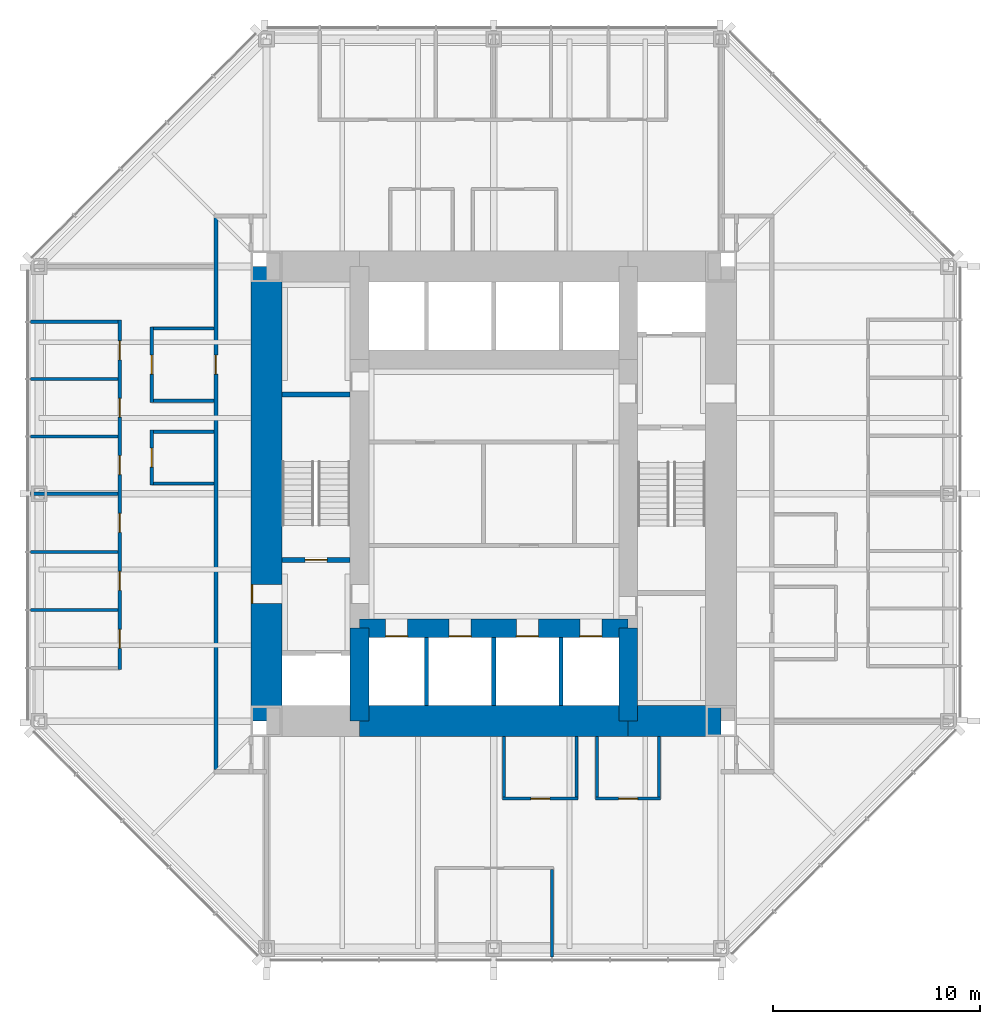
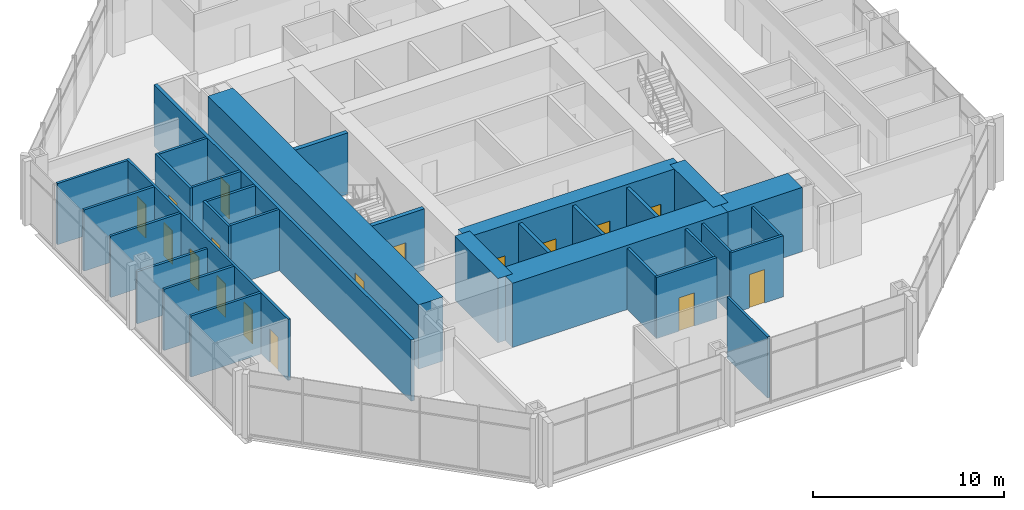
# One storey, part 9 of 14: 32 walls, 17 doors, 17 openings.
"""IFC4 building model written with IfcOpenShell, lengths in metres."""

from ifc_helpers import new_model, si_unit, direction, frame, frame_2d, origin, place, context, subcontext, project, spatial, rectangle, extrude, material, layer, layer_set, type_object, element, fill, save


model = new_model("IFC4")

# Units and contexts
model_context = context("Model", 3, precision=1e-05, world=origin(), true_north=direction((0.0, 1.0)))
body_context = subcontext(model_context, "Body", "Model", "MODEL_VIEW")
ifc_project = project(units=[si_unit("LENGTHUNIT", "METRE"), si_unit("AREAUNIT", "SQUARE_METRE"), si_unit("VOLUMEUNIT", "CUBIC_METRE"), si_unit("PLANEANGLEUNIT", "RADIAN"), si_unit("MASSUNIT", "GRAM", prefix="KILO")], contexts=[model_context])

# Site, building, storey
site_placement = place(None, origin())
site = spatial("IfcSite", under=ifc_project, at=site_placement, CompositionType="ELEMENT")
building_placement = place(site_placement, origin())
building = spatial("IfcBuilding", under=site, at=building_placement, Name="Trevanion Tower", CompositionType="ELEMENT")
storey_placement = place(building_placement, frame((0.0, 0.0, 104.89990234375)))
storey = spatial("IfcBuildingStorey", under=building, at=storey_placement, Name="L24", CompositionType="ELEMENT", Elevation=104.89990234375)

# Wall, opening, door
ifc_material_1 = material(Name="Concrete 10,000 psi", Category="concrete")
ifc_layer_1 = layer(ifc_material_1, 1.5)
ifc_layer_set_1 = layer_set([ifc_layer_1], Name="CW1 core wall 1500")
wall_type_1 = type_object("IfcWallType", Name="CW1 core wall 1500", PredefinedType="SHEAR", material=ifc_layer_set_1)
wall_1_placement = place(storey_placement, frame((-11.0, 11.0, 0.0), z_axis=(0.0, 0.0, 1.0), x_axis=(0.0, -1.0, 0.0)))
wall_1 = element("IfcWall", 1, at=wall_1_placement, inside=storey, type_object=wall_type_1, Name="CW1 CW L24", PredefinedType="SHEAR", context=body_context, shape_type="SweptSolid", body=[
    extrude(rectangle(XDim=22.0, YDim=1.5, at=frame_2d((11.0, 0.0))), origin(), (0.0, 0.0, 1.0), 4.10009765625),
])
opening_1_placement = place(wall_1_placement, frame((15.392578125, 0.0, 0.0)))
opening_1 = element("IfcOpeningElement", 2, at=opening_1_placement, cuts=wall_1, Name="Opening 24-002", PredefinedType="OPENING", context=body_context, shape_type="SweptSolid", body=[
    extrude(rectangle(XDim=0.9150390625, YDim=2.134033203125, at=frame_2d((0.45751953125, 1.06689453125))), frame((0.0, 0.760009765625, 0.0), z_axis=(0.0, -1.0, 0.0), x_axis=(1.0, 0.0, 0.0)), (0.0, 0.0, 1.0), 1.52001953125),
])
ifc_material_2 = material(Name="Hollow metal, fire rated", Category="steel")
door_type_1 = type_object("IfcDoorType", Name="D3 fire lift lobby door", OperationType="SINGLE_SWING_RIGHT", PredefinedType="DOOR", material=ifc_material_2)
door_1_placement = place(opening_1_placement, origin())
door_1 = element("IfcDoor", 3, at=door_1_placement, inside=storey, type_object=door_type_1, Name="Door 24-002", OperationType="SINGLE_SWING_RIGHT", OverallHeight=2.134033203125, OverallWidth=0.9150390625, PredefinedType="DOOR", context=body_context, shape_type="SweptSolid", body=[
    extrude(rectangle(XDim=0.9150390625, YDim=2.134033203125, at=frame_2d((0.45751953125, 1.06689453125))), frame((0.0, -0.6748046875, 0.0), z_axis=(0.0, -1.0, 0.0), x_axis=(1.0, 0.0, 0.0)), (0.0, 0.0, 1.0), 0.050048828125),
])
fill(opening_1, door_1)

# Walls
wall_2_placement = place(storey_placement, frame((-6.5, -11.0, 0.0), z_axis=(0.0, 0.0, 1.0), x_axis=(1.0, 0.0, 0.0)))
element("IfcWall", 4, at=wall_2_placement, inside=storey, type_object=wall_type_1, Name="CW1 CS2 L24", PredefinedType="SHEAR", context=body_context, shape_type="SweptSolid", body=[
    extrude(rectangle(XDim=13.0, YDim=1.5, at=frame_2d((6.5, 0.0))), origin(), (0.0, 0.0, 1.0), 4.10009765625),
])
wall_3_placement = place(storey_placement, frame((6.5, -11.0, 0.0), z_axis=(0.0, 0.0, 1.0), x_axis=(1.0, 0.0, 0.0)))
element("IfcWall", 5, at=wall_3_placement, inside=storey, type_object=wall_type_1, Name="CW1 CS3 L24", PredefinedType="SHEAR", context=body_context, shape_type="SweptSolid", body=[
    extrude(rectangle(XDim=4.5, YDim=1.5, at=frame_2d((2.25, 0.0))), origin(), (0.0, 0.0, 1.0), 4.10009765625),
])
ifc_material_3 = material(Name="Concrete 10,000 psi", Category="concrete")
ifc_layer_2 = layer(ifc_material_3, 0.89990234375)
ifc_layer_set_2 = layer_set([ifc_layer_2], Name="CW2 core wall 900")
wall_type_2 = type_object("IfcWallType", Name="CW2 core wall 900", PredefinedType="SHEAR", material=ifc_layer_set_2)
for number, where, z_axis, x_axis, name in (
    (6, (6.5, -11.0, 0.0), (0.0, 0.0, 1.0), (0.0, 1.0, 0.0), "CW2 RE1 L24"),
    (7, (-6.5, -6.5, 0.0), (0.0, 0.0, 1.0), (0.0, -1.0, 0.0), "CW2 RW3 L24"),
):
    element("IfcWall", number, at=place(storey_placement, frame(where, z_axis=z_axis, x_axis=x_axis)), inside=storey, type_object=wall_type_2, Name=name, PredefinedType="SHEAR", context=body_context, shape_type="SweptSolid", body=[
        extrude(rectangle(XDim=4.5, YDim=0.89990234375, at=frame_2d((2.25, 0.0))), origin(), (0.0, 0.0, 1.0), 4.10009765625),
    ])

# Wall, openings, doors
wall_4_placement = place(storey_placement, frame((-6.5, -6.5, 0.0), z_axis=(0.0, 0.0, 1.0), x_axis=(1.0, 0.0, 0.0)))
wall_4 = element("IfcWall", 8, at=wall_4_placement, inside=storey, type_object=wall_type_2, Name="CW2 RS L24", PredefinedType="SHEAR", context=body_context, shape_type="SweptSolid", body=[
    extrude(rectangle(XDim=13.0, YDim=0.89990234375, at=frame_2d((6.5, 0.0))), origin(), (0.0, 0.0, 1.0), 4.10009765625),
])
opening_2_placement = place(wall_4_placement, frame((1.2666015625, 0.0, 0.0)))
opening_2 = element("IfcOpeningElement", 9, at=opening_2_placement, cuts=wall_4, Name="Opening 24-011", PredefinedType="OPENING", context=body_context, shape_type="SweptSolid", body=[
    extrude(rectangle(XDim=1.06689453125, YDim=2.134033203125, at=frame_2d((0.533447265625, 1.06689453125))), frame((0.0, 0.4599609375, 0.0), z_axis=(0.0, -1.0, 0.0), x_axis=(1.0, 0.0, 0.0)), (0.0, 0.0, 1.0), 0.919921875),
])
opening_3_placement = place(wall_4_placement, frame((4.341552734375, 0.0, 0.0)))
opening_3 = element("IfcOpeningElement", 10, at=opening_3_placement, cuts=wall_4, Name="Opening 24-012", PredefinedType="OPENING", context=body_context, shape_type="SweptSolid", body=[
    extrude(rectangle(XDim=1.06689453125, YDim=2.134033203125, at=frame_2d((0.533447265625, 1.06689453125))), frame((0.0, 0.4599609375, 0.0), z_axis=(0.0, -1.0, 0.0), x_axis=(1.0, 0.0, 0.0)), (0.0, 0.0, 1.0), 0.919921875),
])
opening_4_placement = place(wall_4_placement, frame((7.591552734375, 0.0, 0.0)))
opening_4 = element("IfcOpeningElement", 11, at=opening_4_placement, cuts=wall_4, Name="Opening 24-013", PredefinedType="OPENING", context=body_context, shape_type="SweptSolid", body=[
    extrude(rectangle(XDim=1.06689453125, YDim=2.134033203125, at=frame_2d((0.533447265625, 1.06689453125))), frame((0.0, 0.4599609375, 0.0), z_axis=(0.0, -1.0, 0.0), x_axis=(1.0, 0.0, 0.0)), (0.0, 0.0, 1.0), 0.919921875),
])
opening_5_placement = place(wall_4_placement, frame((10.66650390625, 0.0, 0.0)))
opening_5 = element("IfcOpeningElement", 12, at=opening_5_placement, cuts=wall_4, Name="Opening 24-014", PredefinedType="OPENING", context=body_context, shape_type="SweptSolid", body=[
    extrude(rectangle(XDim=1.06689453125, YDim=2.134033203125, at=frame_2d((0.533447265625, 1.06689453125))), frame((0.0, 0.4599609375, 0.0), z_axis=(0.0, -1.0, 0.0), x_axis=(1.0, 0.0, 0.0)), (0.0, 0.0, 1.0), 0.919921875),
])
ifc_material_4 = material(Name="Stainless steel, fire rated", Category="steel")
door_type_2 = type_object("IfcDoorType", Name="LD1 lift landing door", OperationType="SLIDING_TO_LEFT", PredefinedType="DOOR", material=ifc_material_4)
door_2_placement = place(opening_2_placement, origin())
door_2 = element("IfcDoor", 13, at=door_2_placement, inside=storey, type_object=door_type_2, Name="Door 24-011", OperationType="SLIDING_TO_LEFT", OverallHeight=2.134033203125, OverallWidth=1.06689453125, PredefinedType="DOOR", context=body_context, shape_type="SweptSolid", body=[
    extrude(rectangle(XDim=1.06689453125, YDim=2.134033203125, at=frame_2d((0.533447265625, 1.06689453125))), frame((0.0, -0.375, 0.0), z_axis=(0.0, -1.0, 0.0), x_axis=(1.0, 0.0, 0.0)), (0.0, 0.0, 1.0), 0.050048828125),
])
fill(opening_2, door_2)
door_3_placement = place(opening_3_placement, origin())
door_3 = element("IfcDoor", 14, at=door_3_placement, inside=storey, type_object=door_type_2, Name="Door 24-012", OperationType="SLIDING_TO_LEFT", OverallHeight=2.134033203125, OverallWidth=1.06689453125, PredefinedType="DOOR", context=body_context, shape_type="SweptSolid", body=[
    extrude(rectangle(XDim=1.06689453125, YDim=2.134033203125, at=frame_2d((0.533447265625, 1.06689453125))), frame((0.0, -0.375, 0.0), z_axis=(0.0, -1.0, 0.0), x_axis=(1.0, 0.0, 0.0)), (0.0, 0.0, 1.0), 0.050048828125),
])
fill(opening_3, door_3)
door_4_placement = place(opening_4_placement, origin())
door_4 = element("IfcDoor", 15, at=door_4_placement, inside=storey, type_object=door_type_2, Name="Door 24-013", OperationType="SLIDING_TO_LEFT", OverallHeight=2.134033203125, OverallWidth=1.06689453125, PredefinedType="DOOR", context=body_context, shape_type="SweptSolid", body=[
    extrude(rectangle(XDim=1.06689453125, YDim=2.134033203125, at=frame_2d((0.533447265625, 1.06689453125))), frame((0.0, -0.375, 0.0), z_axis=(0.0, -1.0, 0.0), x_axis=(1.0, 0.0, 0.0)), (0.0, 0.0, 1.0), 0.050048828125),
])
fill(opening_4, door_4)
door_5_placement = place(opening_5_placement, origin())
door_5 = element("IfcDoor", 16, at=door_5_placement, inside=storey, type_object=door_type_2, Name="Door 24-014", OperationType="SLIDING_TO_LEFT", OverallHeight=2.134033203125, OverallWidth=1.06689453125, PredefinedType="DOOR", context=body_context, shape_type="SweptSolid", body=[
    extrude(rectangle(XDim=1.06689453125, YDim=2.134033203125, at=frame_2d((0.533447265625, 1.06689453125))), frame((0.0, -0.375, 0.0), z_axis=(0.0, -1.0, 0.0), x_axis=(1.0, 0.0, 0.0)), (0.0, 0.0, 1.0), 0.050048828125),
])
fill(opening_5, door_5)

ifc_material_5 = material(Name="Gypsum board on steel studs", Category="steel")
ifc_layer_3 = layer(ifc_material_5, 0.14990234375)
ifc_layer_set_3 = layer_set([ifc_layer_3], Name="PT1 partition 150")
wall_type_3 = type_object("IfcWallType", Name="PT1 partition 150", PredefinedType="PARTITIONING", material=ifc_layer_set_3)
wall_5_placement = place(storey_placement, frame((-18.10009765625, 8.39794921875, 0.0), z_axis=(0.0, 0.0, 1.0), x_axis=(0.0, -1.0, 0.0)))
wall_5 = element("IfcWall", 17, at=wall_5_placement, inside=storey, type_object=wall_type_3, Name="PT1 L24 FC2F", PredefinedType="PARTITIONING", context=body_context, shape_type="SweptSolid", body=[
    extrude(rectangle(XDim=16.89404296875, YDim=0.14990234375, at=frame_2d((8.447021484375, 0.0))), origin(), (0.0, 0.0, 1.0), 3.91015625),
])
opening_6_placement = place(wall_5_placement, frame((1.00439453125, 0.0, 0.0)))
opening_6 = element("IfcOpeningElement", 18, at=opening_6_placement, cuts=wall_5, Name="Opening 24-033", PredefinedType="OPENING", context=body_context, shape_type="SweptSolid", body=[
    extrude(rectangle(XDim=0.9150390625, YDim=2.134033203125, at=frame_2d((0.45751953125, 1.06689453125))), frame((0.0, 0.0849609375, 0.0), z_axis=(0.0, -1.0, 0.0), x_axis=(1.0, 0.0, 0.0)), (0.0, 0.0, 1.0), 0.169921875),
])
opening_7_placement = place(wall_5_placement, frame((3.778564453125, 0.0, 0.0)))
opening_7 = element("IfcOpeningElement", 19, at=opening_7_placement, cuts=wall_5, Name="Opening 24-034", PredefinedType="OPENING", context=body_context, shape_type="SweptSolid", body=[
    extrude(rectangle(XDim=0.9150390625, YDim=2.134033203125, at=frame_2d((0.45751953125, 1.06689453125))), frame((0.0, 0.0849609375, 0.0), z_axis=(0.0, -1.0, 0.0), x_axis=(1.0, 0.0, 0.0)), (0.0, 0.0, 1.0), 0.169921875),
])
opening_8_placement = place(wall_5_placement, frame((6.552978515625, 0.0, 0.0)))
opening_8 = element("IfcOpeningElement", 20, at=opening_8_placement, cuts=wall_5, Name="Opening 24-035", PredefinedType="OPENING", context=body_context, shape_type="SweptSolid", body=[
    extrude(rectangle(XDim=0.9150390625, YDim=2.134033203125, at=frame_2d((0.45751953125, 1.06689453125))), frame((0.0, 0.0849609375, 0.0), z_axis=(0.0, -1.0, 0.0), x_axis=(1.0, 0.0, 0.0)), (0.0, 0.0, 1.0), 0.169921875),
])
opening_9_placement = place(wall_5_placement, frame((9.343994140625, 0.0, 0.0)))
opening_9 = element("IfcOpeningElement", 21, at=opening_9_placement, cuts=wall_5, Name="Opening 24-036", PredefinedType="OPENING", context=body_context, shape_type="SweptSolid", body=[
    extrude(rectangle(XDim=0.9150390625, YDim=2.134033203125, at=frame_2d((0.45751953125, 1.06689453125))), frame((0.0, 0.0849609375, 0.0), z_axis=(0.0, -1.0, 0.0), x_axis=(1.0, 0.0, 0.0)), (0.0, 0.0, 1.0), 0.169921875),
])
opening_10_placement = place(wall_5_placement, frame((12.15087890625, 0.0, 0.0)))
opening_10 = element("IfcOpeningElement", 22, at=opening_10_placement, cuts=wall_5, Name="Opening 24-037", PredefinedType="OPENING", context=body_context, shape_type="SweptSolid", body=[
    extrude(rectangle(XDim=0.9150390625, YDim=2.134033203125, at=frame_2d((0.45751953125, 1.06689453125))), frame((0.0, 0.0849609375, 0.0), z_axis=(0.0, -1.0, 0.0), x_axis=(1.0, 0.0, 0.0)), (0.0, 0.0, 1.0), 0.169921875),
])
opening_11_placement = place(wall_5_placement, frame((14.9580078125, 0.0, 0.0)))
opening_11 = element("IfcOpeningElement", 23, at=opening_11_placement, cuts=wall_5, Name="Opening 24-038", PredefinedType="OPENING", context=body_context, shape_type="SweptSolid", body=[
    extrude(rectangle(XDim=0.9150390625, YDim=2.134033203125, at=frame_2d((0.45751953125, 1.06689453125))), frame((0.0, 0.0849609375, 0.0), z_axis=(0.0, -1.0, 0.0), x_axis=(1.0, 0.0, 0.0)), (0.0, 0.0, 1.0), 0.169921875),
])
ifc_material_6 = material(Name="Timber veneer, solid core", Category="wood")
door_type_3 = type_object("IfcDoorType", Name="D1 office and meeting room door", OperationType="SINGLE_SWING_LEFT", PredefinedType="DOOR", material=ifc_material_6)
door_6_placement = place(opening_6_placement, origin())
door_6 = element("IfcDoor", 24, at=door_6_placement, inside=storey, type_object=door_type_3, Name="Door 24-033", OperationType="SINGLE_SWING_LEFT", OverallHeight=2.134033203125, OverallWidth=0.9150390625, PredefinedType="DOOR", context=body_context, shape_type="SweptSolid", body=[
    extrude(rectangle(XDim=0.9150390625, YDim=2.134033203125, at=frame_2d((0.45751953125, 1.06689453125))), frame((0.0, 0.02490234375, 0.0), z_axis=(0.0, -1.0, 0.0), x_axis=(1.0, 0.0, 0.0)), (0.0, 0.0, 1.0), 0.050048828125),
])
fill(opening_6, door_6)
door_7_placement = place(opening_7_placement, origin())
door_7 = element("IfcDoor", 25, at=door_7_placement, inside=storey, type_object=door_type_3, Name="Door 24-034", OperationType="SINGLE_SWING_LEFT", OverallHeight=2.134033203125, OverallWidth=0.9150390625, PredefinedType="DOOR", context=body_context, shape_type="SweptSolid", body=[
    extrude(rectangle(XDim=0.9150390625, YDim=2.134033203125, at=frame_2d((0.45751953125, 1.06689453125))), frame((0.0, 0.02490234375, 0.0), z_axis=(0.0, -1.0, 0.0), x_axis=(1.0, 0.0, 0.0)), (0.0, 0.0, 1.0), 0.050048828125),
])
fill(opening_7, door_7)
door_8_placement = place(opening_8_placement, origin())
door_8 = element("IfcDoor", 26, at=door_8_placement, inside=storey, type_object=door_type_3, Name="Door 24-035", OperationType="SINGLE_SWING_LEFT", OverallHeight=2.134033203125, OverallWidth=0.9150390625, PredefinedType="DOOR", context=body_context, shape_type="SweptSolid", body=[
    extrude(rectangle(XDim=0.9150390625, YDim=2.134033203125, at=frame_2d((0.45751953125, 1.06689453125))), frame((0.0, 0.02490234375, 0.0), z_axis=(0.0, -1.0, 0.0), x_axis=(1.0, 0.0, 0.0)), (0.0, 0.0, 1.0), 0.050048828125),
])
fill(opening_8, door_8)
door_9_placement = place(opening_9_placement, origin())
door_9 = element("IfcDoor", 27, at=door_9_placement, inside=storey, type_object=door_type_3, Name="Door 24-036", OperationType="SINGLE_SWING_LEFT", OverallHeight=2.134033203125, OverallWidth=0.9150390625, PredefinedType="DOOR", context=body_context, shape_type="SweptSolid", body=[
    extrude(rectangle(XDim=0.9150390625, YDim=2.134033203125, at=frame_2d((0.45751953125, 1.06689453125))), frame((0.0, 0.02490234375, 0.0), z_axis=(0.0, -1.0, 0.0), x_axis=(1.0, 0.0, 0.0)), (0.0, 0.0, 1.0), 0.050048828125),
])
fill(opening_9, door_9)
door_10_placement = place(opening_10_placement, origin())
door_10 = element("IfcDoor", 28, at=door_10_placement, inside=storey, type_object=door_type_3, Name="Door 24-037", OperationType="SINGLE_SWING_LEFT", OverallHeight=2.134033203125, OverallWidth=0.9150390625, PredefinedType="DOOR", context=body_context, shape_type="SweptSolid", body=[
    extrude(rectangle(XDim=0.9150390625, YDim=2.134033203125, at=frame_2d((0.45751953125, 1.06689453125))), frame((0.0, 0.02490234375, 0.0), z_axis=(0.0, -1.0, 0.0), x_axis=(1.0, 0.0, 0.0)), (0.0, 0.0, 1.0), 0.050048828125),
])
fill(opening_10, door_10)
door_11_placement = place(opening_11_placement, origin())
door_11 = element("IfcDoor", 29, at=door_11_placement, inside=storey, type_object=door_type_3, Name="Door 24-038", OperationType="SINGLE_SWING_LEFT", OverallHeight=2.134033203125, OverallWidth=0.9150390625, PredefinedType="DOOR", context=body_context, shape_type="SweptSolid", body=[
    extrude(rectangle(XDim=0.9150390625, YDim=2.134033203125, at=frame_2d((0.45751953125, 1.06689453125))), frame((0.0, 0.02490234375, 0.0), z_axis=(0.0, -1.0, 0.0), x_axis=(1.0, 0.0, 0.0)), (0.0, 0.0, 1.0), 0.050048828125),
])
fill(opening_11, door_11)

# Walls
for number, where, z_axis, x_axis, name in (
    (30, (-18.175048828125, 8.322998046875, 0.0), (0.0, 0.0, 1.0), (-1.0, 0.0, 0.0), "PT1 L24 FC2S0"),
    (31, (-18.175048828125, 5.549072265625, 0.0), (0.0, 0.0, 1.0), (-1.0, 0.0, 0.0), "PT1 L24 FC2S1"),
    (32, (-18.175048828125, 2.77490234375, 0.0), (0.0, 0.0, 1.0), (-1.0, 0.0, 0.0), "PT1 L24 FC2S2"),
):
    element("IfcWall", number, at=place(storey_placement, frame(where, z_axis=z_axis, x_axis=x_axis)), inside=storey, type_object=wall_type_3, Name=name, PredefinedType="PARTITIONING", context=body_context, shape_type="SweptSolid", body=[
        extrude(rectangle(XDim=4.239990234375, YDim=0.14990234375, at=frame_2d((2.1201171875, 0.0))), origin(), (0.0, 0.0, 1.0), 3.91015625),
    ])
wall_6_placement = place(storey_placement, frame((-18.175048828125, 0.0, 0.0), z_axis=(0.0, 0.0, 1.0), x_axis=(-1.0, 0.0, 0.0)))
element("IfcWall", 33, at=wall_6_placement, inside=storey, type_object=wall_type_3, Name="PT1 L24 FC2S3", PredefinedType="PARTITIONING", context=body_context, shape_type="SweptSolid", body=[
    extrude(rectangle(XDim=4.239990234375, YDim=0.14990234375, at=frame_2d((2.1201171875, 0.0))), origin(), (0.0, 0.0, 1.0), 3.325927734375),
])
for number, where, z_axis, x_axis, name in (
    (34, (-18.175048828125, -2.806884765625, 0.0), (0.0, 0.0, 1.0), (-1.0, 0.0, 0.0), "PT1 L24 FC2S4"),
    (35, (-18.175048828125, -5.614013671875, 0.0), (0.0, 0.0, 1.0), (-1.0, 0.0, 0.0), "PT1 L24 FC2S5"),
    (36, (2.806884765625, -18.175048828125, 0.0), (0.0, 0.0, 1.0), (0.0, -1.0, 0.0), "PT1 L24 FC3S2"),
):
    element("IfcWall", number, at=place(storey_placement, frame(where, z_axis=z_axis, x_axis=x_axis)), inside=storey, type_object=wall_type_3, Name=name, PredefinedType="PARTITIONING", context=body_context, shape_type="SweptSolid", body=[
        extrude(rectangle(XDim=4.239990234375, YDim=0.14990234375, at=frame_2d((2.1201171875, 0.0))), origin(), (0.0, 0.0, 1.0), 3.91015625),
    ])

# Wall, opening, door
wall_7_placement = place(storey_placement, frame((-16.550048828125, 8.074951171875, 0.0), z_axis=(0.0, 0.0, 1.0), x_axis=(0.0, -1.0, 0.0)))
wall_7 = element("IfcWall", 37, at=wall_7_placement, inside=storey, type_object=wall_type_3, Name="PT1 L24 IN20F", PredefinedType="PARTITIONING", context=body_context, shape_type="SweptSolid", body=[
    extrude(rectangle(XDim=3.64990234375, YDim=0.14990234375, at=frame_2d((1.824951171875, 0.0))), origin(), (0.0, 0.0, 1.0), 3.91015625),
])
opening_12_placement = place(wall_7_placement, frame((1.367431640625, 0.0, 0.0)))
opening_12 = element("IfcOpeningElement", 38, at=opening_12_placement, cuts=wall_7, Name="Opening 24-045", PredefinedType="OPENING", context=body_context, shape_type="SweptSolid", body=[
    extrude(rectangle(XDim=0.9150390625, YDim=2.134033203125, at=frame_2d((0.45751953125, 1.06689453125))), frame((0.0, 0.0849609375, 0.0), z_axis=(0.0, -1.0, 0.0), x_axis=(1.0, 0.0, 0.0)), (0.0, 0.0, 1.0), 0.169921875),
])
door_12_placement = place(opening_12_placement, origin())
door_12 = element("IfcDoor", 39, at=door_12_placement, inside=storey, type_object=door_type_3, Name="Door 24-045", OperationType="SINGLE_SWING_LEFT", OverallHeight=2.134033203125, OverallWidth=0.9150390625, PredefinedType="DOOR", context=body_context, shape_type="SweptSolid", body=[
    extrude(rectangle(XDim=0.9150390625, YDim=2.134033203125, at=frame_2d((0.45751953125, 1.06689453125))), frame((0.0, 0.02490234375, 0.0), z_axis=(0.0, -1.0, 0.0), x_axis=(1.0, 0.0, 0.0)), (0.0, 0.0, 1.0), 0.050048828125),
])
fill(opening_12, door_12)

# Walls
for number, where, z_axis, x_axis, name in (
    (40, (-16.47509765625, 8.0, 0.0), (0.0, 0.0, 1.0), (1.0, 0.0, 0.0), "PT1 L24 IN20S0"),
    (41, (-16.47509765625, 4.5, 0.0), (0.0, 0.0, 1.0), (1.0, 0.0, 0.0), "PT1 L24 IN20S1"),
):
    element("IfcWall", number, at=place(storey_placement, frame(where, z_axis=z_axis, x_axis=x_axis)), inside=storey, type_object=wall_type_3, Name=name, PredefinedType="PARTITIONING", context=body_context, shape_type="SweptSolid", body=[
        extrude(rectangle(XDim=2.925048828125, YDim=0.14990234375, at=frame_2d((1.46240234375, 0.0))), origin(), (0.0, 0.0, 1.0), 3.91015625),
    ])

# Wall, opening, door
wall_8_placement = place(storey_placement, frame((-16.550048828125, 3.074951171875, 0.0), z_axis=(0.0, 0.0, 1.0), x_axis=(0.0, -1.0, 0.0)))
wall_8 = element("IfcWall", 42, at=wall_8_placement, inside=storey, type_object=wall_type_3, Name="PT1 L24 IN21F", PredefinedType="PARTITIONING", context=body_context, shape_type="SweptSolid", body=[
    extrude(rectangle(XDim=2.64990234375, YDim=0.14990234375, at=frame_2d((1.324951171875, 0.0))), origin(), (0.0, 0.0, 1.0), 3.91015625),
])
opening_13_placement = place(wall_8_placement, frame((0.867431640625, 0.0, 0.0)))
opening_13 = element("IfcOpeningElement", 43, at=opening_13_placement, cuts=wall_8, Name="Opening 24-047", PredefinedType="OPENING", context=body_context, shape_type="SweptSolid", body=[
    extrude(rectangle(XDim=0.9150390625, YDim=2.134033203125, at=frame_2d((0.45751953125, 1.06689453125))), frame((0.0, 0.0849609375, 0.0), z_axis=(0.0, -1.0, 0.0), x_axis=(1.0, 0.0, 0.0)), (0.0, 0.0, 1.0), 0.169921875),
])
door_13_placement = place(opening_13_placement, origin())
door_13 = element("IfcDoor", 44, at=door_13_placement, inside=storey, type_object=door_type_3, Name="Door 24-047", OperationType="SINGLE_SWING_LEFT", OverallHeight=2.134033203125, OverallWidth=0.9150390625, PredefinedType="DOOR", context=body_context, shape_type="SweptSolid", body=[
    extrude(rectangle(XDim=0.9150390625, YDim=2.134033203125, at=frame_2d((0.45751953125, 1.06689453125))), frame((0.0, 0.02490234375, 0.0), z_axis=(0.0, -1.0, 0.0), x_axis=(1.0, 0.0, 0.0)), (0.0, 0.0, 1.0), 0.050048828125),
])
fill(opening_13, door_13)

# Walls
for number, where, z_axis, x_axis, name in (
    (45, (-16.47509765625, 3.0, 0.0), (0.0, 0.0, 1.0), (1.0, 0.0, 0.0), "PT1 L24 IN21S0"),
    (46, (-16.47509765625, 0.5, 0.0), (0.0, 0.0, 1.0), (1.0, 0.0, 0.0), "PT1 L24 IN21S1"),
):
    element("IfcWall", number, at=place(storey_placement, frame(where, z_axis=z_axis, x_axis=x_axis)), inside=storey, type_object=wall_type_3, Name=name, PredefinedType="PARTITIONING", context=body_context, shape_type="SweptSolid", body=[
        extrude(rectangle(XDim=2.925048828125, YDim=0.14990234375, at=frame_2d((1.46240234375, 0.0))), origin(), (0.0, 0.0, 1.0), 3.91015625),
    ])

# Wall, opening, door
wall_9_placement = place(storey_placement, frame((0.425048828125, -14.75, 0.0), z_axis=(0.0, 0.0, 1.0), x_axis=(1.0, 0.0, 0.0)))
wall_9 = element("IfcWall", 47, at=wall_9_placement, inside=storey, type_object=wall_type_3, Name="PT1 L24 IN30F", PredefinedType="PARTITIONING", context=body_context, shape_type="SweptSolid", body=[
    extrude(rectangle(XDim=3.64990234375, YDim=0.14990234375, at=frame_2d((1.824951171875, 0.0))), origin(), (0.0, 0.0, 1.0), 3.91015625),
])
opening_14_placement = place(wall_9_placement, frame((1.367431640625, 0.0, 0.0)))
opening_14 = element("IfcOpeningElement", 48, at=opening_14_placement, cuts=wall_9, Name="Opening 24-048", PredefinedType="OPENING", context=body_context, shape_type="SweptSolid", body=[
    extrude(rectangle(XDim=0.9150390625, YDim=2.134033203125, at=frame_2d((0.45751953125, 1.06689453125))), frame((0.0, 0.0849609375, 0.0), z_axis=(0.0, -1.0, 0.0), x_axis=(1.0, 0.0, 0.0)), (0.0, 0.0, 1.0), 0.169921875),
])
door_14_placement = place(opening_14_placement, origin())
door_14 = element("IfcDoor", 49, at=door_14_placement, inside=storey, type_object=door_type_3, Name="Door 24-048", OperationType="SINGLE_SWING_LEFT", OverallHeight=2.134033203125, OverallWidth=0.9150390625, PredefinedType="DOOR", context=body_context, shape_type="SweptSolid", body=[
    extrude(rectangle(XDim=0.9150390625, YDim=2.134033203125, at=frame_2d((0.45751953125, 1.06689453125))), frame((0.0, 0.02490234375, 0.0), z_axis=(0.0, -1.0, 0.0), x_axis=(1.0, 0.0, 0.0)), (0.0, 0.0, 1.0), 0.050048828125),
])
fill(opening_14, door_14)

# Walls
for number, where, z_axis, x_axis, name in (
    (50, (0.5, -14.675048828125, 0.0), (0.0, 0.0, 1.0), (0.0, 1.0, 0.0), "PT1 L24 IN30S0"),
    (51, (4.0, -14.675048828125, 0.0), (0.0, 0.0, 1.0), (0.0, 1.0, 0.0), "PT1 L24 IN30S1"),
):
    element("IfcWall", number, at=place(storey_placement, frame(where, z_axis=z_axis, x_axis=x_axis)), inside=storey, type_object=wall_type_3, Name=name, PredefinedType="PARTITIONING", context=body_context, shape_type="SweptSolid", body=[
        extrude(rectangle(XDim=2.925048828125, YDim=0.14990234375, at=frame_2d((1.46240234375, 0.0))), origin(), (0.0, 0.0, 1.0), 3.91015625),
    ])

# Wall, opening, door
wall_10_placement = place(storey_placement, frame((4.925048828125, -14.75, 0.0), z_axis=(0.0, 0.0, 1.0), x_axis=(1.0, 0.0, 0.0)))
wall_10 = element("IfcWall", 52, at=wall_10_placement, inside=storey, type_object=wall_type_3, Name="PT1 L24 IN31F", PredefinedType="PARTITIONING", context=body_context, shape_type="SweptSolid", body=[
    extrude(rectangle(XDim=3.14990234375, YDim=0.14990234375, at=frame_2d((1.574951171875, 0.0))), origin(), (0.0, 0.0, 1.0), 3.91015625),
])
opening_15_placement = place(wall_10_placement, frame((1.117431640625, 0.0, 0.0)))
opening_15 = element("IfcOpeningElement", 53, at=opening_15_placement, cuts=wall_10, Name="Opening 24-049", PredefinedType="OPENING", context=body_context, shape_type="SweptSolid", body=[
    extrude(rectangle(XDim=0.9150390625, YDim=2.134033203125, at=frame_2d((0.45751953125, 1.06689453125))), frame((0.0, 0.0849609375, 0.0), z_axis=(0.0, -1.0, 0.0), x_axis=(1.0, 0.0, 0.0)), (0.0, 0.0, 1.0), 0.169921875),
])
door_15_placement = place(opening_15_placement, origin())
door_15 = element("IfcDoor", 54, at=door_15_placement, inside=storey, type_object=door_type_3, Name="Door 24-049", OperationType="SINGLE_SWING_LEFT", OverallHeight=2.134033203125, OverallWidth=0.9150390625, PredefinedType="DOOR", context=body_context, shape_type="SweptSolid", body=[
    extrude(rectangle(XDim=0.9150390625, YDim=2.134033203125, at=frame_2d((0.45751953125, 1.06689453125))), frame((0.0, 0.02490234375, 0.0), z_axis=(0.0, -1.0, 0.0), x_axis=(1.0, 0.0, 0.0)), (0.0, 0.0, 1.0), 0.050048828125),
])
fill(opening_15, door_15)

# Walls
for number, where, z_axis, x_axis, name in (
    (55, (5.0, -14.675048828125, 0.0), (0.0, 0.0, 1.0), (0.0, 1.0, 0.0), "PT1 L24 IN31S0"),
    (56, (8.0, -14.675048828125, 0.0), (0.0, 0.0, 1.0), (0.0, 1.0, 0.0), "PT1 L24 IN31S1"),
):
    element("IfcWall", number, at=place(storey_placement, frame(where, z_axis=z_axis, x_axis=x_axis)), inside=storey, type_object=wall_type_3, Name=name, PredefinedType="PARTITIONING", context=body_context, shape_type="SweptSolid", body=[
        extrude(rectangle(XDim=2.925048828125, YDim=0.14990234375, at=frame_2d((1.46240234375, 0.0))), origin(), (0.0, 0.0, 1.0), 3.91015625),
    ])

# Wall, opening, door
ifc_material_7 = material(Name="Concrete masonry, grouted", Category="masonry")
ifc_layer_4 = layer(ifc_material_7, 0.199951171875)
ifc_layer_set_4 = layer_set([ifc_layer_4], Name="PT2 partition 200 1 HR")
wall_type_4 = type_object("IfcWallType", Name="PT2 partition 200 1 HR", PredefinedType="PARTITIONING", material=ifc_layer_set_4)
wall_11_placement = place(storey_placement, frame((-13.449951171875, 13.550048828125, 0.0), z_axis=(0.0, 0.0, 1.0), x_axis=(0.0, -1.0, 0.0)))
wall_11 = element("IfcWall", 57, at=wall_11_placement, inside=storey, type_object=wall_type_4, Name="PT2 L24 OC2", PredefinedType="PARTITIONING", context=body_context, shape_type="SweptSolid", body=[
    extrude(rectangle(XDim=26.900146484375, YDim=0.199951171875, at=frame_2d((13.4501953125, 0.0))), origin(), (0.0, 0.0, 1.0), 3.91015625),
])
opening_16_placement = place(wall_11_placement, frame((6.842529296875, 0.0, 0.0)))
opening_16 = element("IfcOpeningElement", 58, at=opening_16_placement, cuts=wall_11, Name="Opening 24-046", PredefinedType="OPENING", context=body_context, shape_type="SweptSolid", body=[
    extrude(rectangle(XDim=0.9150390625, YDim=2.134033203125, at=frame_2d((0.45751953125, 1.06689453125))), frame((0.0, 0.10986328125, 0.0), z_axis=(0.0, -1.0, 0.0), x_axis=(1.0, 0.0, 0.0)), (0.0, 0.0, 1.0), 0.219970703125),
])
ifc_material_8 = material(Name="Timber veneer, fire rated", Category="wood")
door_type_4 = type_object("IfcDoorType", Name="D10 office door in a one hour wall", OperationType="SINGLE_SWING_LEFT", PredefinedType="DOOR", material=ifc_material_8)
door_16_placement = place(opening_16_placement, origin())
door_16 = element("IfcDoor", 59, at=door_16_placement, inside=storey, type_object=door_type_4, Name="Door 24-046", OperationType="SINGLE_SWING_LEFT", OverallHeight=2.134033203125, OverallWidth=0.9150390625, PredefinedType="DOOR", context=body_context, shape_type="SweptSolid", body=[
    extrude(rectangle(XDim=0.9150390625, YDim=2.134033203125, at=frame_2d((0.45751953125, 1.06689453125))), frame((0.0, 0.02490234375, 0.0), z_axis=(0.0, -1.0, 0.0), x_axis=(1.0, 0.0, 0.0)), (0.0, 0.0, 1.0), 0.050048828125),
])
fill(opening_16, door_16)

# Walls
ifc_material_9 = material(Name="Concrete masonry, grouted", Category="masonry")
ifc_layer_5 = layer(ifc_material_9, 0.199951171875)
ifc_layer_set_5 = layer_set([ifc_layer_5], Name="PT2 partition 200 2 HR")
wall_type_5 = type_object("IfcWallType", Name="PT2 partition 200 2 HR", PredefinedType="PARTITIONING", material=ifc_layer_set_5)
for number, where, z_axis, x_axis, name in (
    (60, (-3.25, -10.25, 0.0), (0.0, 0.0, 1.0), (0.0, 1.0, 0.0), "PT2 L24 SS0"),
    (61, (0.0, -10.25, 0.0), (0.0, 0.0, 1.0), (0.0, 1.0, 0.0), "PT2 L24 SS1"),
    (62, (3.25, -10.25, 0.0), (0.0, 0.0, 1.0), (0.0, 1.0, 0.0), "PT2 L24 SS2"),
):
    element("IfcWall", number, at=place(storey_placement, frame(where, z_axis=z_axis, x_axis=x_axis)), inside=storey, type_object=wall_type_5, Name=name, PredefinedType="PARTITIONING", context=body_context, shape_type="SweptSolid", body=[
        extrude(rectangle(XDim=3.300048828125, YDim=0.199951171875, at=frame_2d((1.64990234375, 0.0))), origin(), (0.0, 0.0, 1.0), 3.91015625),
    ])
ifc_material_10 = material(Name="Reinforced masonry, fully grouted", Category="masonry")
ifc_layer_6 = layer(ifc_material_10, 0.25)
ifc_layer_set_6 = layer_set([ifc_layer_6], Name="SW1 stair shaft wall 250")
wall_type_6 = type_object("IfcWallType", Name="SW1 stair shaft wall 250", PredefinedType="SOLIDWALL", material=ifc_layer_set_6)
wall_12_placement = place(storey_placement, frame((-6.949951171875, 4.800048828125, 0.0), z_axis=(0.0, 0.0, 1.0), x_axis=(-1.0, 0.0, 0.0)))
element("IfcWall", 63, at=wall_12_placement, inside=storey, type_object=wall_type_6, Name="SW1 L24 WP1", PredefinedType="SOLIDWALL", context=body_context, shape_type="SweptSolid", body=[
    extrude(rectangle(XDim=3.300048828125, YDim=0.25, at=frame_2d((1.64990234375, 0.0))), origin(), (0.0, 0.0, 1.0), 3.91015625),
])

# Wall, opening, door
wall_13_placement = place(storey_placement, frame((-6.949951171875, -3.199951171875, 0.0), z_axis=(0.0, 0.0, 1.0), x_axis=(-1.0, 0.0, 0.0)))
wall_13 = element("IfcWall", 64, at=wall_13_placement, inside=storey, type_object=wall_type_6, Name="SW1 L24 WP2", PredefinedType="SOLIDWALL", context=body_context, shape_type="SweptSolid", body=[
    extrude(rectangle(XDim=3.300048828125, YDim=0.25, at=frame_2d((1.64990234375, 0.0))), origin(), (0.0, 0.0, 1.0), 3.91015625),
])
opening_17_placement = place(wall_13_placement, frame((1.116455078125, 0.0, 0.0)))
opening_17 = element("IfcOpeningElement", 65, at=opening_17_placement, cuts=wall_13, Name="Opening 24-006", PredefinedType="OPENING", context=body_context, shape_type="SweptSolid", body=[
    extrude(rectangle(XDim=1.06689453125, YDim=2.134033203125, at=frame_2d((0.533447265625, 1.06689453125))), frame((0.0, 0.135009765625, 0.0), z_axis=(0.0, -1.0, 0.0), x_axis=(1.0, 0.0, 0.0)), (0.0, 0.0, 1.0), 0.27001953125),
])
ifc_material_11 = material(Name="Hollow metal, fire rated", Category="steel")
door_type_5 = type_object("IfcDoorType", Name="D2 exit stair door", OperationType="SINGLE_SWING_LEFT", PredefinedType="DOOR", material=ifc_material_11)
door_17_placement = place(opening_17_placement, origin())
door_17 = element("IfcDoor", 66, at=door_17_placement, inside=storey, type_object=door_type_5, Name="Door 24-006", OperationType="SINGLE_SWING_LEFT", OverallHeight=2.134033203125, OverallWidth=1.06689453125, PredefinedType="DOOR", context=body_context, shape_type="SweptSolid", body=[
    extrude(rectangle(XDim=1.06689453125, YDim=2.134033203125, at=frame_2d((0.533447265625, 1.06689453125))), frame((0.0, 0.02490234375, 0.0), z_axis=(0.0, -1.0, 0.0), x_axis=(1.0, 0.0, 0.0)), (0.0, 0.0, 1.0), 0.050048828125),
])
fill(opening_17, door_17)

save(model, "model.ifc")
